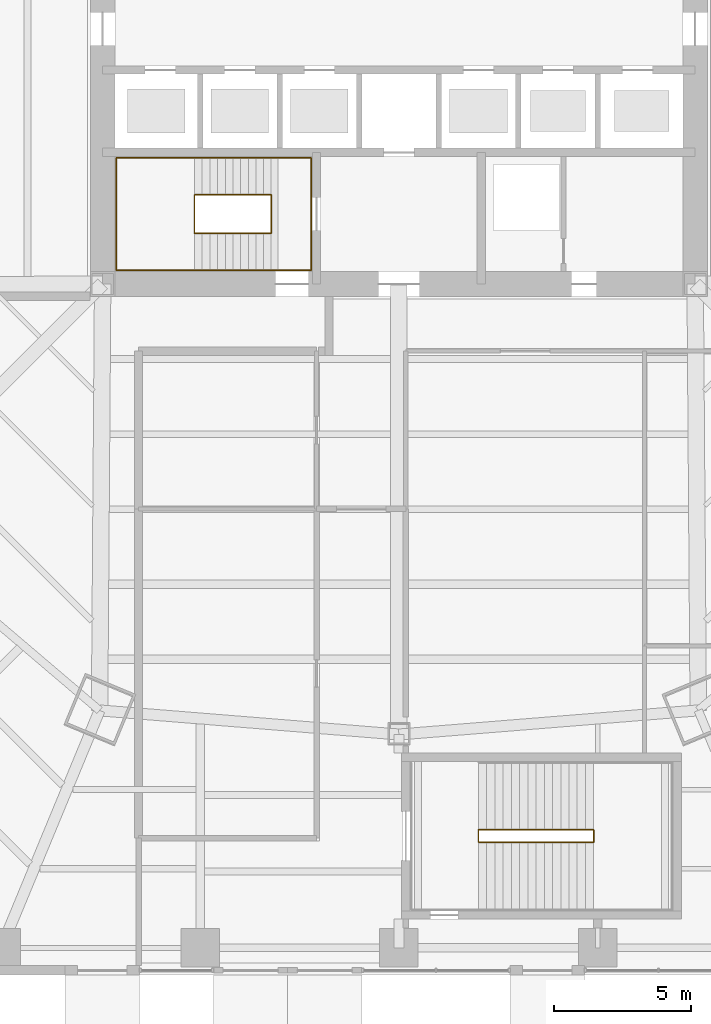
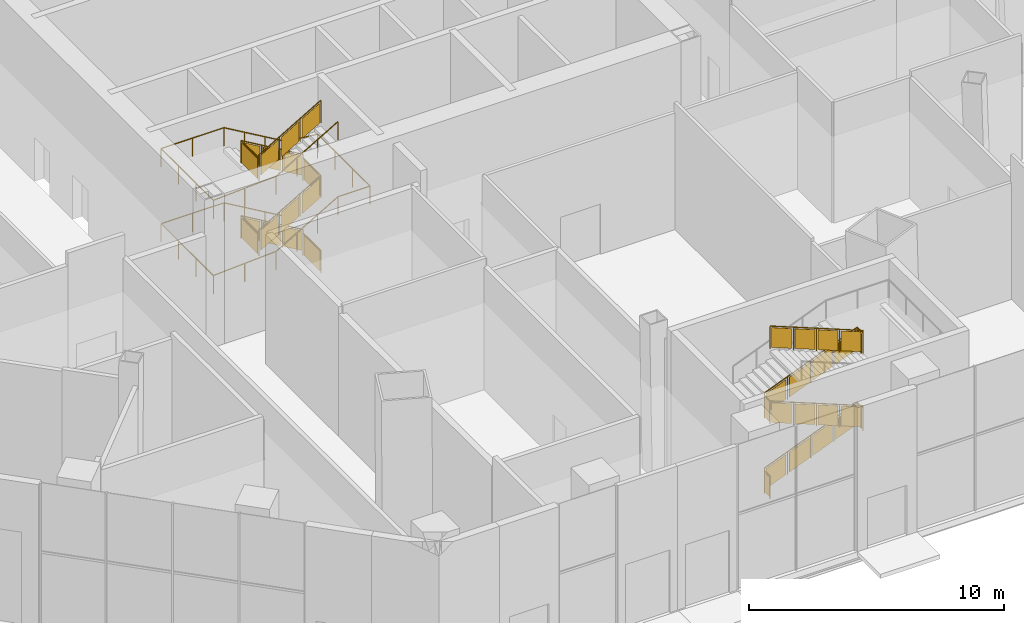
# One storey, part 29 of 35: 3 railings.
"""IFC4 building model written with IfcOpenShell, lengths in metres."""

from ifc_helpers import new_model, si_unit, direction, frame, origin, origin_2d, place, context, subcontext, project, spatial, polyline, circle, outline, extrude, material, type_object, element, save


model = new_model("IFC4")

# Units and contexts
model_context = context("Model", 3, precision=1e-05, world=origin(), true_north=direction((0.0, 1.0)))
body_context = subcontext(model_context, "Body", "Model", "MODEL_VIEW")
ifc_project = project(units=[si_unit("LENGTHUNIT", "METRE"), si_unit("AREAUNIT", "SQUARE_METRE"), si_unit("VOLUMEUNIT", "CUBIC_METRE"), si_unit("PLANEANGLEUNIT", "RADIAN"), si_unit("MASSUNIT", "GRAM", prefix="KILO")], contexts=[model_context])

# Site, building, storey
site_placement = place(None, origin())
site = spatial("IfcSite", under=ifc_project, at=site_placement, CompositionType="ELEMENT")
building_placement = place(site_placement, origin())
building = spatial("IfcBuilding", under=site, at=building_placement, Name="Mashrafa Tower", CompositionType="ELEMENT")
storey_placement = place(building_placement, origin())
storey = spatial("IfcBuildingStorey", under=building, at=storey_placement, Name="L00", CompositionType="ELEMENT", Elevation=0.0)

# Railings
ifc_material_1 = material(Name="Steel guard with glass infill", Category="steel")
railing_type_1 = type_object("IfcRailingType", Name="Stair guard 1100", PredefinedType="GUARDRAIL", material=ifc_material_1)
railing_1_placement = place(storey_placement, frame((-4.64990234375, -8.949951171875, 0.0)))
element("IfcRailing", 1, at=railing_1_placement, inside=storey, type_object=railing_type_1, Name="Stair S3 guard L00", PredefinedType="GUARDRAIL", context=body_context, shape_type="SweptSolid", body=[
    extrude(circle(Radius=0.02392578125, at=origin_2d()), frame((0.0, 0.0, 1.076171875), z_axis=(0.0, 1.0, 0.0), x_axis=(-1.0, 0.0, 0.0)), (0.0, 0.0, 1.0), 1.39990234375),
    extrude(circle(Radius=0.02392578125, at=origin_2d()), frame((0.0, 1.39990234375, 1.076171875), z_axis=(0.0, 0.0, 1.0), x_axis=(1.0, 0.0, 0.0)), (0.0, 0.0, 1.0), 0.16357421875),
    extrude(circle(Radius=0.02392578125, at=origin_2d()), frame((0.0, 1.39990234375, 1.23974609375), z_axis=(-0.863360870873, 0.0, 0.504586966384), x_axis=(0.0, -1.0, 0.0)), (0.0, 0.0, 1.0), 3.2431640625),
    extrude(circle(Radius=0.02392578125, at=origin_2d()), frame((-2.800048828125, 1.39990234375, 2.8759765625), z_axis=(0.0, -1.0, 0.0), x_axis=(1.0, 0.0, 0.0)), (0.0, 0.0, 1.0), 1.39990234375),
    extrude(circle(Radius=0.02392578125, at=origin_2d()), frame((-2.800048828125, 0.0, 2.8759765625), z_axis=(0.0, 0.0, 1.0), x_axis=(1.0, 0.0, 0.0)), (0.0, 0.0, 1.0), 0.16357421875),
    extrude(circle(Radius=0.02392578125, at=origin_2d()), frame((-2.800048828125, 0.0, 3.03955078125), z_axis=(0.863360870873, 0.0, 0.504586966384), x_axis=(0.0, 1.0, 0.0)), (0.0, 0.0, 1.0), 3.2431640625),
    extrude(circle(Radius=0.02392578125, at=origin_2d()), frame((0.0, 0.0, 4.67626953125), z_axis=(0.0, 1.0, 0.0), x_axis=(-1.0, 0.0, 0.0)), (0.0, 0.0, 1.0), 1.39990234375),
    extrude(circle(Radius=0.02392578125, at=origin_2d()), frame((0.0, 1.39990234375, 4.67626953125), z_axis=(0.0, 0.0, 1.0), x_axis=(1.0, 0.0, 0.0)), (0.0, 0.0, 1.0), 0.16357421875),
    extrude(circle(Radius=0.02392578125, at=origin_2d()), frame((0.0, 1.39990234375, 4.83984375), z_axis=(-0.863393664356, 0.0, 0.504530851732), x_axis=(0.0, -1.0, 0.0)), (0.0, 0.0, 1.0), 3.2431640625),
    extrude(circle(Radius=0.02392578125, at=origin_2d()), frame((-2.800048828125, 1.39990234375, 6.47607421875), z_axis=(0.0, -1.0, 0.0), x_axis=(1.0, 0.0, 0.0)), (0.0, 0.0, 1.0), 1.39990234375),
    extrude(circle(Radius=0.02392578125, at=origin_2d()), frame((-2.800048828125, 0.0, 6.47607421875), z_axis=(0.0, 0.0, 1.0), x_axis=(1.0, 0.0, 0.0)), (0.0, 0.0, 1.0), 0.163818359375),
    extrude(circle(Radius=0.02392578125, at=origin_2d()), frame((-2.800048828125, 0.0, 6.6396484375), z_axis=(0.863393664356, 0.0, 0.504530851732), x_axis=(0.0, 1.0, 0.0)), (0.0, 0.0, 1.0), 3.2431640625),
    extrude(circle(Radius=0.02099609375, at=origin_2d()), origin(), (0.0, 0.0, 1.0), 1.052001953125),
    extrude(circle(Radius=0.02099609375, at=origin_2d()), frame((0.0, 1.39990234375, 0.0)), (0.0, 0.0, 1.0), 1.052001953125),
    extrude(circle(Radius=0.02099609375, at=origin_2d()), frame((0.0, 1.39990234375, 0.16357421875)), (0.0, 0.0, 1.0), 1.052001953125),
    extrude(circle(Radius=0.02099609375, at=origin_2d()), frame((-0.933349609375, 1.39990234375, 0.708984375)), (0.0, 0.0, 1.0), 1.052001953125),
    extrude(circle(Radius=0.02099609375, at=origin_2d()), frame((-1.86669921875, 1.39990234375, 1.254638671875)), (0.0, 0.0, 1.0), 1.052001953125),
    extrude(circle(Radius=0.02099609375, at=origin_2d()), frame((-2.800048828125, 1.39990234375, 1.800048828125)), (0.0, 0.0, 1.0), 1.052001953125),
    extrude(circle(Radius=0.02099609375, at=origin_2d()), frame((-2.800048828125, 0.0, 1.800048828125)), (0.0, 0.0, 1.0), 1.052001953125),
    extrude(circle(Radius=0.02099609375, at=origin_2d()), frame((-2.800048828125, 0.0, 1.963623046875)), (0.0, 0.0, 1.0), 1.052001953125),
    extrude(circle(Radius=0.02099609375, at=origin_2d()), frame((-1.86669921875, 0.0, 2.509033203125)), (0.0, 0.0, 1.0), 1.052001953125),
    extrude(circle(Radius=0.02099609375, at=origin_2d()), frame((-0.933349609375, 0.0, 3.0546875)), (0.0, 0.0, 1.0), 1.052001953125),
    extrude(circle(Radius=0.02099609375, at=origin_2d()), frame((0.0, 0.0, 3.60009765625)), (0.0, 0.0, 1.0), 1.052001953125),
    extrude(circle(Radius=0.02099609375, at=origin_2d()), frame((0.0, 1.39990234375, 3.60009765625)), (0.0, 0.0, 1.0), 1.052001953125),
    extrude(circle(Radius=0.02099609375, at=origin_2d()), frame((0.0, 1.39990234375, 3.763671875)), (0.0, 0.0, 1.0), 1.052001953125),
    extrude(circle(Radius=0.02099609375, at=origin_2d()), frame((-0.933349609375, 1.39990234375, 4.30908203125)), (0.0, 0.0, 1.0), 1.052001953125),
    extrude(circle(Radius=0.02099609375, at=origin_2d()), frame((-1.86669921875, 1.39990234375, 4.8544921875)), (0.0, 0.0, 1.0), 1.052001953125),
    extrude(circle(Radius=0.02099609375, at=origin_2d()), frame((-2.800048828125, 1.39990234375, 5.39990234375)), (0.0, 0.0, 1.0), 1.052001953125),
    extrude(circle(Radius=0.02099609375, at=origin_2d()), frame((-2.800048828125, 0.0, 5.39990234375)), (0.0, 0.0, 1.0), 1.052001953125),
    extrude(circle(Radius=0.02099609375, at=origin_2d()), frame((-2.800048828125, 0.0, 5.563720703125)), (0.0, 0.0, 1.0), 1.052001953125),
    extrude(circle(Radius=0.02099609375, at=origin_2d()), frame((-1.86669921875, 0.0, 6.109130859375)), (0.0, 0.0, 1.0), 1.052001953125),
    extrude(circle(Radius=0.02099609375, at=origin_2d()), frame((-0.933349609375, 0.0, 6.654541015625)), (0.0, 0.0, 1.0), 1.052001953125),
    extrude(circle(Radius=0.02099609375, at=origin_2d()), frame((0.0, 0.0, 7.199951171875)), (0.0, 0.0, 1.0), 1.052001953125),
    extrude(outline(polyline([(0.071044921875, 0.050048828125), (1.328857421875, 0.050048828125), (1.328857421875, 1.001953125), (0.071044921875, 1.001953125), (0.071044921875, 0.050048828125)])), frame((0.006103515625, 0.0, 0.0), z_axis=(1.0, 0.0, 0.0), x_axis=(0.0, 1.0, 0.0)), (0.0, 0.0, 1.0), 0.011962890625),
    extrude(outline(polyline([(0.071044921875, 0.091552734375), (0.8623046875, 0.553955078125), (0.8623046875, 1.506103515625), (0.071044921875, 1.04345703125), (0.071044921875, 0.091552734375)])), frame((0.0, 1.406005859375, 0.16357421875), z_axis=(0.0, 1.0, 0.0), x_axis=(-1.0, 0.0, 0.0)), (0.0, 0.0, 1.0), 0.011962890625),
    extrude(outline(polyline([(1.00439453125, 0.636962890625), (1.795654296875, 1.099609375), (1.795654296875, 2.051513671875), (1.00439453125, 1.5888671875), (1.00439453125, 0.636962890625)])), frame((0.0, 1.406005859375, 0.16357421875), z_axis=(0.0, 1.0, 0.0), x_axis=(-1.0, 0.0, 0.0)), (0.0, 0.0, 1.0), 0.011962890625),
    extrude(outline(polyline([(1.937744140625, 1.182373046875), (2.72900390625, 1.64501953125), (2.72900390625, 2.596923828125), (1.937744140625, 2.134521484375), (1.937744140625, 1.182373046875)])), frame((0.0, 1.406005859375, 0.16357421875), z_axis=(0.0, 1.0, 0.0), x_axis=(-1.0, 0.0, 0.0)), (0.0, 0.0, 1.0), 0.011962890625),
    extrude(outline(polyline([(0.071044921875, 0.050048828125), (1.328857421875, 0.050048828125), (1.328857421875, 1.001953125), (0.071044921875, 1.001953125), (0.071044921875, 0.050048828125)])), frame((-2.80615234375, 1.39990234375, 1.800048828125), z_axis=(-1.0, 0.0, 0.0), x_axis=(0.0, -1.0, 0.0)), (0.0, 0.0, 1.0), 0.011962890625),
    extrude(outline(polyline([(0.071044921875, 0.091552734375), (0.8623046875, 0.553955078125), (0.8623046875, 1.506103515625), (0.071044921875, 1.04345703125), (0.071044921875, 0.091552734375)])), frame((-2.800048828125, -0.006103515625, 1.963623046875), z_axis=(0.0, -1.0, 0.0), x_axis=(1.0, 0.0, 0.0)), (0.0, 0.0, 1.0), 0.011962890625),
    extrude(outline(polyline([(1.00439453125, 0.636962890625), (1.795654296875, 1.099609375), (1.795654296875, 2.051513671875), (1.00439453125, 1.5888671875), (1.00439453125, 0.636962890625)])), frame((-2.800048828125, -0.006103515625, 1.963623046875), z_axis=(0.0, -1.0, 0.0), x_axis=(1.0, 0.0, 0.0)), (0.0, 0.0, 1.0), 0.011962890625),
    extrude(outline(polyline([(1.937744140625, 1.182373046875), (2.72900390625, 1.64501953125), (2.72900390625, 2.596923828125), (1.937744140625, 2.134521484375), (1.937744140625, 1.182373046875)])), frame((-2.800048828125, -0.006103515625, 1.963623046875), z_axis=(0.0, -1.0, 0.0), x_axis=(1.0, 0.0, 0.0)), (0.0, 0.0, 1.0), 0.011962890625),
    extrude(outline(polyline([(0.071044921875, 0.050048828125), (1.328857421875, 0.050048828125), (1.328857421875, 1.001953125), (0.071044921875, 1.001953125), (0.071044921875, 0.050048828125)])), frame((0.006103515625, 0.0, 3.60009765625), z_axis=(1.0, 0.0, 0.0), x_axis=(0.0, 1.0, 0.0)), (0.0, 0.0, 1.0), 0.011962890625),
    extrude(outline(polyline([(0.071044921875, 0.091552734375), (0.8623046875, 0.553955078125), (0.8623046875, 1.505859375), (0.071044921875, 1.04345703125), (0.071044921875, 0.091552734375)])), frame((0.0, 1.406005859375, 3.763671875), z_axis=(0.0, 1.0, 0.0), x_axis=(-1.0, 0.0, 0.0)), (0.0, 0.0, 1.0), 0.011962890625),
    extrude(outline(polyline([(1.00439453125, 0.636962890625), (1.795654296875, 1.099365234375), (1.795654296875, 2.05126953125), (1.00439453125, 1.5888671875), (1.00439453125, 0.636962890625)])), frame((0.0, 1.406005859375, 3.763671875), z_axis=(0.0, 1.0, 0.0), x_axis=(-1.0, 0.0, 0.0)), (0.0, 0.0, 1.0), 0.011962890625),
    extrude(outline(polyline([(1.937744140625, 1.182373046875), (2.72900390625, 1.644775390625), (2.72900390625, 2.5966796875), (1.937744140625, 2.13427734375), (1.937744140625, 1.182373046875)])), frame((0.0, 1.406005859375, 3.763671875), z_axis=(0.0, 1.0, 0.0), x_axis=(-1.0, 0.0, 0.0)), (0.0, 0.0, 1.0), 0.011962890625),
    extrude(outline(polyline([(0.071044921875, 0.050048828125), (1.328857421875, 0.050048828125), (1.328857421875, 1.001953125), (0.071044921875, 1.001953125), (0.071044921875, 0.050048828125)])), frame((-2.80615234375, 1.39990234375, 5.39990234375), z_axis=(-1.0, 0.0, 0.0), x_axis=(0.0, -1.0, 0.0)), (0.0, 0.0, 1.0), 0.011962890625),
    extrude(outline(polyline([(0.071044921875, 0.091552734375), (0.8623046875, 0.553955078125), (0.8623046875, 1.505859375), (0.071044921875, 1.04345703125), (0.071044921875, 0.091552734375)])), frame((-2.800048828125, -0.006103515625, 5.563720703125), z_axis=(0.0, -1.0, 0.0), x_axis=(1.0, 0.0, 0.0)), (0.0, 0.0, 1.0), 0.011962890625),
    extrude(outline(polyline([(1.00439453125, 0.636962890625), (1.795654296875, 1.099365234375), (1.795654296875, 2.05126953125), (1.00439453125, 1.5888671875), (1.00439453125, 0.636962890625)])), frame((-2.800048828125, -0.006103515625, 5.563720703125), z_axis=(0.0, -1.0, 0.0), x_axis=(1.0, 0.0, 0.0)), (0.0, 0.0, 1.0), 0.011962890625),
    extrude(outline(polyline([(1.937744140625, 1.182373046875), (2.72900390625, 1.644775390625), (2.72900390625, 2.5966796875), (1.937744140625, 2.13427734375), (1.937744140625, 1.182373046875)])), frame((-2.800048828125, -0.006103515625, 5.563720703125), z_axis=(0.0, -1.0, 0.0), x_axis=(1.0, 0.0, 0.0)), (0.0, 0.0, 1.0), 0.011962890625),
])
railing_2_placement = place(storey_placement, frame((2.89990234375, -31.14990234375, 0.0)))
element("IfcRailing", 2, at=railing_2_placement, inside=storey, type_object=railing_type_1, Name="Stair P4 guard L00", PredefinedType="GUARDRAIL", context=body_context, shape_type="SweptSolid", body=[
    extrude(circle(Radius=0.02392578125, at=origin_2d()), frame((0.0, 0.0, 1.076171875), z_axis=(0.0, 1.0, 0.0), x_axis=(-1.0, 0.0, 0.0)), (0.0, 0.0, 1.0), 0.449951171875),
    extrude(circle(Radius=0.02392578125, at=origin_2d()), frame((0.0, 0.449951171875, 1.076171875), z_axis=(0.0, 0.0, 1.0), x_axis=(1.0, 0.0, 0.0)), (0.0, 0.0, 1.0), 0.1201171875),
    extrude(circle(Radius=0.02392578125, at=origin_2d()), frame((0.0, 0.449951171875, 1.1962890625), z_axis=(0.928487856528, 0.0, 0.37136276103), x_axis=(0.0, 1.0, 0.0)), (0.0, 0.0, 1.0), 4.523681640625),
    extrude(circle(Radius=0.02392578125, at=origin_2d()), frame((4.2001953125, 0.449951171875, 2.8759765625), z_axis=(0.0, -1.0, 0.0), x_axis=(1.0, 0.0, 0.0)), (0.0, 0.0, 1.0), 0.449951171875),
    extrude(circle(Radius=0.02392578125, at=origin_2d()), frame((4.2001953125, 0.0, 2.8759765625), z_axis=(0.0, 0.0, 1.0), x_axis=(1.0, 0.0, 0.0)), (0.0, 0.0, 1.0), 0.119873046875),
    extrude(circle(Radius=0.02392578125, at=origin_2d()), frame((4.2001953125, 0.0, 2.99609375), z_axis=(-0.928469246806, 0.0, 0.37140928601), x_axis=(0.0, -1.0, 0.0)), (0.0, 0.0, 1.0), 4.523681640625),
    extrude(circle(Radius=0.02392578125, at=origin_2d()), frame((0.0, 0.0, 4.67626953125), z_axis=(0.0, 1.0, 0.0), x_axis=(-1.0, 0.0, 0.0)), (0.0, 0.0, 1.0), 0.449951171875),
    extrude(circle(Radius=0.02392578125, at=origin_2d()), frame((0.0, 0.449951171875, 4.67626953125), z_axis=(0.0, 0.0, 1.0), x_axis=(1.0, 0.0, 0.0)), (0.0, 0.0, 1.0), 0.119873046875),
    extrude(circle(Radius=0.02392578125, at=origin_2d()), frame((0.0, 0.449951171875, 4.7958984375), z_axis=(0.928487856528, 0.0, 0.37136276103), x_axis=(0.0, 1.0, 0.0)), (0.0, 0.0, 1.0), 4.523681640625),
    extrude(circle(Radius=0.02392578125, at=origin_2d()), frame((4.2001953125, 0.449951171875, 6.47607421875), z_axis=(0.0, -1.0, 0.0), x_axis=(1.0, 0.0, 0.0)), (0.0, 0.0, 1.0), 0.449951171875),
    extrude(circle(Radius=0.02392578125, at=origin_2d()), frame((4.2001953125, 0.0, 6.47607421875), z_axis=(0.0, 0.0, 1.0), x_axis=(1.0, 0.0, 0.0)), (0.0, 0.0, 1.0), 0.1201171875),
    extrude(circle(Radius=0.02392578125, at=origin_2d()), frame((4.2001953125, 0.0, 6.59619140625), z_axis=(-0.928487856528, 0.0, 0.37136276103), x_axis=(0.0, -1.0, 0.0)), (0.0, 0.0, 1.0), 4.523681640625),
    extrude(circle(Radius=0.02099609375, at=origin_2d()), origin(), (0.0, 0.0, 1.0), 1.052001953125),
    extrude(circle(Radius=0.02099609375, at=origin_2d()), frame((0.0, 0.449951171875, 0.0)), (0.0, 0.0, 1.0), 1.052001953125),
    extrude(circle(Radius=0.02099609375, at=origin_2d()), frame((0.0, 0.449951171875, 0.1201171875)), (0.0, 0.0, 1.0), 1.052001953125),
    extrude(circle(Radius=0.02099609375, at=origin_2d()), frame((1.050048828125, 0.449951171875, 0.5400390625)), (0.0, 0.0, 1.0), 1.052001953125),
    extrude(circle(Radius=0.02099609375, at=origin_2d()), frame((2.10009765625, 0.449951171875, 0.9599609375)), (0.0, 0.0, 1.0), 1.052001953125),
    extrude(circle(Radius=0.02099609375, at=origin_2d()), frame((3.150146484375, 0.449951171875, 1.380126953125)), (0.0, 0.0, 1.0), 1.052001953125),
    extrude(circle(Radius=0.02099609375, at=origin_2d()), frame((4.2001953125, 0.449951171875, 1.800048828125)), (0.0, 0.0, 1.0), 1.052001953125),
    extrude(circle(Radius=0.02099609375, at=origin_2d()), frame((4.2001953125, 0.0, 1.800048828125)), (0.0, 0.0, 1.0), 1.052001953125),
    extrude(circle(Radius=0.02099609375, at=origin_2d()), frame((4.2001953125, 0.0, 1.919921875)), (0.0, 0.0, 1.0), 1.052001953125),
    extrude(circle(Radius=0.02099609375, at=origin_2d()), frame((3.150146484375, 0.0, 2.33984375)), (0.0, 0.0, 1.0), 1.052001953125),
    extrude(circle(Radius=0.02099609375, at=origin_2d()), frame((2.10009765625, 0.0, 2.760009765625)), (0.0, 0.0, 1.0), 1.052001953125),
    extrude(circle(Radius=0.02099609375, at=origin_2d()), frame((1.050048828125, 0.0, 3.18017578125)), (0.0, 0.0, 1.0), 1.052001953125),
    extrude(circle(Radius=0.02099609375, at=origin_2d()), frame((0.0, 0.0, 3.60009765625)), (0.0, 0.0, 1.0), 1.052001953125),
    extrude(circle(Radius=0.02099609375, at=origin_2d()), frame((0.0, 0.449951171875, 3.60009765625)), (0.0, 0.0, 1.0), 1.052001953125),
    extrude(circle(Radius=0.02099609375, at=origin_2d()), frame((0.0, 0.449951171875, 3.719970703125)), (0.0, 0.0, 1.0), 1.052001953125),
    extrude(circle(Radius=0.02099609375, at=origin_2d()), frame((1.050048828125, 0.449951171875, 4.139892578125)), (0.0, 0.0, 1.0), 1.052001953125),
    extrude(circle(Radius=0.02099609375, at=origin_2d()), frame((2.10009765625, 0.449951171875, 4.56005859375)), (0.0, 0.0, 1.0), 1.052001953125),
    extrude(circle(Radius=0.02099609375, at=origin_2d()), frame((3.150146484375, 0.449951171875, 4.97998046875)), (0.0, 0.0, 1.0), 1.052001953125),
    extrude(circle(Radius=0.02099609375, at=origin_2d()), frame((4.2001953125, 0.449951171875, 5.39990234375)), (0.0, 0.0, 1.0), 1.052001953125),
    extrude(circle(Radius=0.02099609375, at=origin_2d()), frame((4.2001953125, 0.0, 5.39990234375)), (0.0, 0.0, 1.0), 1.052001953125),
    extrude(circle(Radius=0.02099609375, at=origin_2d()), frame((4.2001953125, 0.0, 5.52001953125)), (0.0, 0.0, 1.0), 1.052001953125),
    extrude(circle(Radius=0.02099609375, at=origin_2d()), frame((3.150146484375, 0.0, 5.93994140625)), (0.0, 0.0, 1.0), 1.052001953125),
    extrude(circle(Radius=0.02099609375, at=origin_2d()), frame((2.10009765625, 0.0, 6.35986328125)), (0.0, 0.0, 1.0), 1.052001953125),
    extrude(circle(Radius=0.02099609375, at=origin_2d()), frame((1.050048828125, 0.0, 6.780029296875)), (0.0, 0.0, 1.0), 1.052001953125),
    extrude(circle(Radius=0.02099609375, at=origin_2d()), frame((0.0, 0.0, 7.199951171875)), (0.0, 0.0, 1.0), 1.052001953125),
    extrude(outline(polyline([(0.071044921875, 0.050048828125), (0.37890625, 0.050048828125), (0.37890625, 1.001953125), (0.071044921875, 1.001953125), (0.071044921875, 0.050048828125)])), frame((0.006103515625, 0.0, 0.0), z_axis=(1.0, 0.0, 0.0), x_axis=(0.0, 1.0, 0.0)), (0.0, 0.0, 1.0), 0.011962890625),
    extrude(outline(polyline([(0.071044921875, 0.078369140625), (0.97900390625, 0.441650390625), (0.97900390625, 1.3935546875), (0.071044921875, 1.030517578125), (0.071044921875, 0.078369140625)])), frame((0.0, 0.44384765625, 0.1201171875), z_axis=(0.0, -1.0, 0.0), x_axis=(1.0, 0.0, 0.0)), (0.0, 0.0, 1.0), 0.011962890625),
    extrude(outline(polyline([(1.12109375, 0.498291015625), (2.029052734375, 0.861572265625), (2.029052734375, 1.8134765625), (1.12109375, 1.450439453125), (1.12109375, 0.498291015625)])), frame((0.0, 0.44384765625, 0.1201171875), z_axis=(0.0, -1.0, 0.0), x_axis=(1.0, 0.0, 0.0)), (0.0, 0.0, 1.0), 0.011962890625),
    extrude(outline(polyline([(2.171142578125, 0.91845703125), (3.0791015625, 1.281494140625), (3.0791015625, 2.233642578125), (2.171142578125, 1.870361328125), (2.171142578125, 0.91845703125)])), frame((0.0, 0.44384765625, 0.1201171875), z_axis=(0.0, -1.0, 0.0), x_axis=(1.0, 0.0, 0.0)), (0.0, 0.0, 1.0), 0.011962890625),
    extrude(outline(polyline([(3.22119140625, 1.33837890625), (4.129150390625, 1.701416015625), (4.129150390625, 2.653564453125), (3.22119140625, 2.290283203125), (3.22119140625, 1.33837890625)])), frame((0.0, 0.44384765625, 0.1201171875), z_axis=(0.0, -1.0, 0.0), x_axis=(1.0, 0.0, 0.0)), (0.0, 0.0, 1.0), 0.011962890625),
    extrude(outline(polyline([(0.071044921875, 0.050048828125), (0.37890625, 0.050048828125), (0.37890625, 1.001953125), (0.071044921875, 1.001953125), (0.071044921875, 0.050048828125)])), frame((4.194091796875, 0.449951171875, 1.800048828125), z_axis=(-1.0, 0.0, 0.0), x_axis=(0.0, -1.0, 0.0)), (0.0, 0.0, 1.0), 0.011962890625),
    extrude(outline(polyline([(0.071044921875, 0.078369140625), (0.97900390625, 0.441650390625), (0.97900390625, 1.3935546875), (0.071044921875, 1.030517578125), (0.071044921875, 0.078369140625)])), frame((4.2001953125, 0.006103515625, 1.919921875), z_axis=(0.0, 1.0, 0.0), x_axis=(-1.0, 0.0, 0.0)), (0.0, 0.0, 1.0), 0.011962890625),
    extrude(outline(polyline([(1.12109375, 0.49853515625), (2.029052734375, 0.861572265625), (2.029052734375, 1.813720703125), (1.12109375, 1.450439453125), (1.12109375, 0.49853515625)])), frame((4.2001953125, 0.006103515625, 1.919921875), z_axis=(0.0, 1.0, 0.0), x_axis=(-1.0, 0.0, 0.0)), (0.0, 0.0, 1.0), 0.011962890625),
    extrude(outline(polyline([(2.171142578125, 0.91845703125), (3.0791015625, 1.28173828125), (3.0791015625, 2.233642578125), (2.171142578125, 1.87060546875), (2.171142578125, 0.91845703125)])), frame((4.2001953125, 0.006103515625, 1.919921875), z_axis=(0.0, 1.0, 0.0), x_axis=(-1.0, 0.0, 0.0)), (0.0, 0.0, 1.0), 0.011962890625),
    extrude(outline(polyline([(3.22119140625, 1.338623046875), (4.129150390625, 1.70166015625), (4.129150390625, 2.65380859375), (3.22119140625, 2.29052734375), (3.22119140625, 1.338623046875)])), frame((4.2001953125, 0.006103515625, 1.919921875), z_axis=(0.0, 1.0, 0.0), x_axis=(-1.0, 0.0, 0.0)), (0.0, 0.0, 1.0), 0.011962890625),
    extrude(outline(polyline([(0.071044921875, 0.050048828125), (0.37890625, 0.050048828125), (0.37890625, 1.001953125), (0.071044921875, 1.001953125), (0.071044921875, 0.050048828125)])), frame((0.006103515625, 0.0, 3.60009765625), z_axis=(1.0, 0.0, 0.0), x_axis=(0.0, 1.0, 0.0)), (0.0, 0.0, 1.0), 0.011962890625),
    extrude(outline(polyline([(0.071044921875, 0.078369140625), (0.97900390625, 0.441650390625), (0.97900390625, 1.3935546875), (0.071044921875, 1.030517578125), (0.071044921875, 0.078369140625)])), frame((0.0, 0.44384765625, 3.719970703125), z_axis=(0.0, -1.0, 0.0), x_axis=(1.0, 0.0, 0.0)), (0.0, 0.0, 1.0), 0.011962890625),
    extrude(outline(polyline([(1.12109375, 0.498291015625), (2.029052734375, 0.861572265625), (2.029052734375, 1.8134765625), (1.12109375, 1.450439453125), (1.12109375, 0.498291015625)])), frame((0.0, 0.44384765625, 3.719970703125), z_axis=(0.0, -1.0, 0.0), x_axis=(1.0, 0.0, 0.0)), (0.0, 0.0, 1.0), 0.011962890625),
    extrude(outline(polyline([(2.171142578125, 0.91845703125), (3.0791015625, 1.281494140625), (3.0791015625, 2.233642578125), (2.171142578125, 1.870361328125), (2.171142578125, 0.91845703125)])), frame((0.0, 0.44384765625, 3.719970703125), z_axis=(0.0, -1.0, 0.0), x_axis=(1.0, 0.0, 0.0)), (0.0, 0.0, 1.0), 0.011962890625),
    extrude(outline(polyline([(3.22119140625, 1.33837890625), (4.129150390625, 1.701416015625), (4.129150390625, 2.653564453125), (3.22119140625, 2.290283203125), (3.22119140625, 1.33837890625)])), frame((0.0, 0.44384765625, 3.719970703125), z_axis=(0.0, -1.0, 0.0), x_axis=(1.0, 0.0, 0.0)), (0.0, 0.0, 1.0), 0.011962890625),
    extrude(outline(polyline([(0.071044921875, 0.050048828125), (0.37890625, 0.050048828125), (0.37890625, 1.001953125), (0.071044921875, 1.001953125), (0.071044921875, 0.050048828125)])), frame((4.194091796875, 0.449951171875, 5.39990234375), z_axis=(-1.0, 0.0, 0.0), x_axis=(0.0, -1.0, 0.0)), (0.0, 0.0, 1.0), 0.011962890625),
    extrude(outline(polyline([(0.071044921875, 0.078369140625), (0.97900390625, 0.441650390625), (0.97900390625, 1.3935546875), (0.071044921875, 1.030517578125), (0.071044921875, 0.078369140625)])), frame((4.2001953125, 0.006103515625, 5.52001953125), z_axis=(0.0, 1.0, 0.0), x_axis=(-1.0, 0.0, 0.0)), (0.0, 0.0, 1.0), 0.011962890625),
    extrude(outline(polyline([(1.12109375, 0.498291015625), (2.029052734375, 0.861572265625), (2.029052734375, 1.8134765625), (1.12109375, 1.450439453125), (1.12109375, 0.498291015625)])), frame((4.2001953125, 0.006103515625, 5.52001953125), z_axis=(0.0, 1.0, 0.0), x_axis=(-1.0, 0.0, 0.0)), (0.0, 0.0, 1.0), 0.011962890625),
    extrude(outline(polyline([(2.171142578125, 0.91845703125), (3.0791015625, 1.281494140625), (3.0791015625, 2.233642578125), (2.171142578125, 1.870361328125), (2.171142578125, 0.91845703125)])), frame((4.2001953125, 0.006103515625, 5.52001953125), z_axis=(0.0, 1.0, 0.0), x_axis=(-1.0, 0.0, 0.0)), (0.0, 0.0, 1.0), 0.011962890625),
    extrude(outline(polyline([(3.22119140625, 1.33837890625), (4.129150390625, 1.701416015625), (4.129150390625, 2.653564453125), (3.22119140625, 2.290283203125), (3.22119140625, 1.33837890625)])), frame((4.2001953125, 0.006103515625, 5.52001953125), z_axis=(0.0, 1.0, 0.0), x_axis=(-1.0, 0.0, 0.0)), (0.0, 0.0, 1.0), 0.011962890625),
])
ifc_material_2 = material(Name="Steel", Category="steel")
railing_type_2 = type_object("IfcRailingType", Name="Stair handrail 900", PredefinedType="HANDRAIL", material=ifc_material_2)
railing_3_placement = place(storey_placement, frame((-4.64990234375, -6.199951171875, 0.16357421875)))
element("IfcRailing", 3, at=railing_3_placement, inside=storey, type_object=railing_type_2, Name="Stair S3 handrail L00", PredefinedType="HANDRAIL", context=body_context, shape_type="SweptSolid", body=[
    extrude(circle(Radius=0.02392578125, at=origin_2d()), frame((0.0, 0.0, 0.8759765625), z_axis=(-0.863360870873, 0.0, 0.504586966384), x_axis=(0.0, -1.0, 0.0)), (0.0, 0.0, 1.0), 3.2431640625),
    extrude(circle(Radius=0.02392578125, at=origin_2d()), frame((-2.800048828125, 0.0, 2.51220703125), z_axis=(-1.0, 0.0, 0.0), x_axis=(0.0, -1.0, 0.0)), (0.0, 0.0, 1.0), 2.85009765625),
    extrude(circle(Radius=0.02392578125, at=origin_2d()), frame((-5.650146484375, 0.0, 2.51220703125), z_axis=(0.0, -1.0, 0.0), x_axis=(1.0, 0.0, 0.0)), (0.0, 0.0, 1.0), 4.10009765625),
    extrude(circle(Radius=0.02392578125, at=origin_2d()), frame((-5.650146484375, -4.10009765625, 2.51220703125), z_axis=(0.99835710822, 0.0, 0.057298206485), x_axis=(0.0, 1.0, 0.0)), (0.0, 0.0, 1.0), 2.854736328125),
    extrude(circle(Radius=0.02392578125, at=origin_2d()), frame((-2.800048828125, -4.10009765625, 2.67578125), z_axis=(0.863360870873, 0.0, 0.504586966384), x_axis=(0.0, 1.0, 0.0)), (0.0, 0.0, 1.0), 3.2431640625),
    extrude(circle(Radius=0.02392578125, at=origin_2d()), frame((0.0, -4.10009765625, 4.3125), z_axis=(1.0, 0.0, 0.0), x_axis=(0.0, 1.0, 0.0)), (0.0, 0.0, 1.0), 1.449951171875),
    extrude(circle(Radius=0.02392578125, at=origin_2d()), frame((1.449951171875, -4.10009765625, 4.3125), z_axis=(0.0, 1.0, 0.0), x_axis=(-1.0, 0.0, 0.0)), (0.0, 0.0, 1.0), 4.10009765625),
    extrude(circle(Radius=0.02392578125, at=origin_2d()), frame((1.449951171875, 0.0, 4.3125), z_axis=(-0.993696648495, 0.0, 0.112102501177), x_axis=(0.0, -1.0, 0.0)), (0.0, 0.0, 1.0), 1.459228515625),
    extrude(circle(Radius=0.02392578125, at=origin_2d()), frame((0.0, 0.0, 4.47607421875), z_axis=(-0.863393664356, 0.0, 0.504530851732), x_axis=(0.0, -1.0, 0.0)), (0.0, 0.0, 1.0), 3.2431640625),
    extrude(circle(Radius=0.02392578125, at=origin_2d()), frame((-2.800048828125, 0.0, 6.1123046875), z_axis=(-1.0, 0.0, 0.0), x_axis=(0.0, -1.0, 0.0)), (0.0, 0.0, 1.0), 2.85009765625),
    extrude(circle(Radius=0.02392578125, at=origin_2d()), frame((-5.650146484375, 0.0, 6.1123046875), z_axis=(0.0, -1.0, 0.0), x_axis=(1.0, 0.0, 0.0)), (0.0, 0.0, 1.0), 4.10009765625),
    extrude(circle(Radius=0.02392578125, at=origin_2d()), frame((-5.650146484375, -4.10009765625, 6.1123046875), z_axis=(0.99835221253, 0.0, 0.057383444801), x_axis=(0.0, 1.0, 0.0)), (0.0, 0.0, 1.0), 2.854736328125),
    extrude(circle(Radius=0.02392578125, at=origin_2d()), frame((-2.800048828125, -4.10009765625, 6.27587890625), z_axis=(0.863393664356, 0.0, 0.504530851732), x_axis=(0.0, 1.0, 0.0)), (0.0, 0.0, 1.0), 3.2431640625),
    extrude(circle(Radius=0.02099609375, at=origin_2d()), origin(), (0.0, 0.0, 1.0), 0.851806640625),
    extrude(circle(Radius=0.02099609375, at=origin_2d()), frame((-0.933349609375, 0.0, 0.54541015625)), (0.0, 0.0, 1.0), 0.851806640625),
    extrude(circle(Radius=0.02099609375, at=origin_2d()), frame((-1.86669921875, 0.0, 1.091064453125)), (0.0, 0.0, 1.0), 0.851806640625),
    extrude(circle(Radius=0.02099609375, at=origin_2d()), frame((-2.800048828125, 0.0, 1.636474609375)), (0.0, 0.0, 1.0), 0.851806640625),
    extrude(circle(Radius=0.02099609375, at=origin_2d()), frame((-4.22509765625, 0.0, 1.636474609375)), (0.0, 0.0, 1.0), 0.851806640625),
    extrude(circle(Radius=0.02099609375, at=origin_2d()), frame((-5.650146484375, 0.0, 1.636474609375)), (0.0, 0.0, 1.0), 0.851806640625),
    extrude(circle(Radius=0.02099609375, at=origin_2d()), frame((-5.650146484375, -1.36669921875, 1.636474609375)), (0.0, 0.0, 1.0), 0.851806640625),
    extrude(circle(Radius=0.02099609375, at=origin_2d()), frame((-5.650146484375, -2.7333984375, 1.636474609375)), (0.0, 0.0, 1.0), 0.851806640625),
    extrude(circle(Radius=0.02099609375, at=origin_2d()), frame((-5.650146484375, -4.10009765625, 1.636474609375)), (0.0, 0.0, 1.0), 0.851806640625),
    extrude(circle(Radius=0.02099609375, at=origin_2d()), frame((-4.22509765625, -4.10009765625, 1.71826171875)), (0.0, 0.0, 1.0), 0.851806640625),
    extrude(circle(Radius=0.02099609375, at=origin_2d()), frame((-2.800048828125, -4.10009765625, 1.800048828125)), (0.0, 0.0, 1.0), 0.851806640625),
    extrude(circle(Radius=0.02099609375, at=origin_2d()), frame((-1.86669921875, -4.10009765625, 2.345458984375)), (0.0, 0.0, 1.0), 0.851806640625),
    extrude(circle(Radius=0.02099609375, at=origin_2d()), frame((-0.933349609375, -4.10009765625, 2.89111328125)), (0.0, 0.0, 1.0), 0.851806640625),
    extrude(circle(Radius=0.02099609375, at=origin_2d()), frame((0.0, -4.10009765625, 3.4365234375)), (0.0, 0.0, 1.0), 0.851806640625),
    extrude(circle(Radius=0.02099609375, at=origin_2d()), frame((1.449951171875, -4.10009765625, 3.4365234375)), (0.0, 0.0, 1.0), 0.851806640625),
    extrude(circle(Radius=0.02099609375, at=origin_2d()), frame((1.449951171875, -2.7333984375, 3.4365234375)), (0.0, 0.0, 1.0), 0.851806640625),
    extrude(circle(Radius=0.02099609375, at=origin_2d()), frame((1.449951171875, -1.36669921875, 3.4365234375)), (0.0, 0.0, 1.0), 0.851806640625),
    extrude(circle(Radius=0.02099609375, at=origin_2d()), frame((1.449951171875, 0.0, 3.4365234375)), (0.0, 0.0, 1.0), 0.851806640625),
    extrude(circle(Radius=0.02099609375, at=origin_2d()), frame((0.0, 0.0, 3.60009765625)), (0.0, 0.0, 1.0), 0.851806640625),
    extrude(circle(Radius=0.02099609375, at=origin_2d()), frame((-0.933349609375, 0.0, 4.1455078125)), (0.0, 0.0, 1.0), 0.851806640625),
    extrude(circle(Radius=0.02099609375, at=origin_2d()), frame((-1.86669921875, 0.0, 4.69091796875)), (0.0, 0.0, 1.0), 0.851806640625),
    extrude(circle(Radius=0.02099609375, at=origin_2d()), frame((-2.800048828125, 0.0, 5.236328125)), (0.0, 0.0, 1.0), 0.851806640625),
    extrude(circle(Radius=0.02099609375, at=origin_2d()), frame((-4.22509765625, 0.0, 5.236328125)), (0.0, 0.0, 1.0), 0.851806640625),
    extrude(circle(Radius=0.02099609375, at=origin_2d()), frame((-5.650146484375, 0.0, 5.236328125)), (0.0, 0.0, 1.0), 0.851806640625),
    extrude(circle(Radius=0.02099609375, at=origin_2d()), frame((-5.650146484375, -1.36669921875, 5.236328125)), (0.0, 0.0, 1.0), 0.851806640625),
    extrude(circle(Radius=0.02099609375, at=origin_2d()), frame((-5.650146484375, -2.7333984375, 5.236328125)), (0.0, 0.0, 1.0), 0.851806640625),
    extrude(circle(Radius=0.02099609375, at=origin_2d()), frame((-5.650146484375, -4.10009765625, 5.236328125)), (0.0, 0.0, 1.0), 0.851806640625),
    extrude(circle(Radius=0.02099609375, at=origin_2d()), frame((-4.22509765625, -4.10009765625, 5.318359375)), (0.0, 0.0, 1.0), 0.851806640625),
    extrude(circle(Radius=0.02099609375, at=origin_2d()), frame((-2.800048828125, -4.10009765625, 5.400146484375)), (0.0, 0.0, 1.0), 0.851806640625),
    extrude(circle(Radius=0.02099609375, at=origin_2d()), frame((-1.86669921875, -4.10009765625, 5.945556640625)), (0.0, 0.0, 1.0), 0.851806640625),
    extrude(circle(Radius=0.02099609375, at=origin_2d()), frame((-0.933349609375, -4.10009765625, 6.490966796875)), (0.0, 0.0, 1.0), 0.851806640625),
    extrude(circle(Radius=0.02099609375, at=origin_2d()), frame((0.0, -4.10009765625, 7.036376953125)), (0.0, 0.0, 1.0), 0.851806640625),
])

save(model, "model.ifc")
